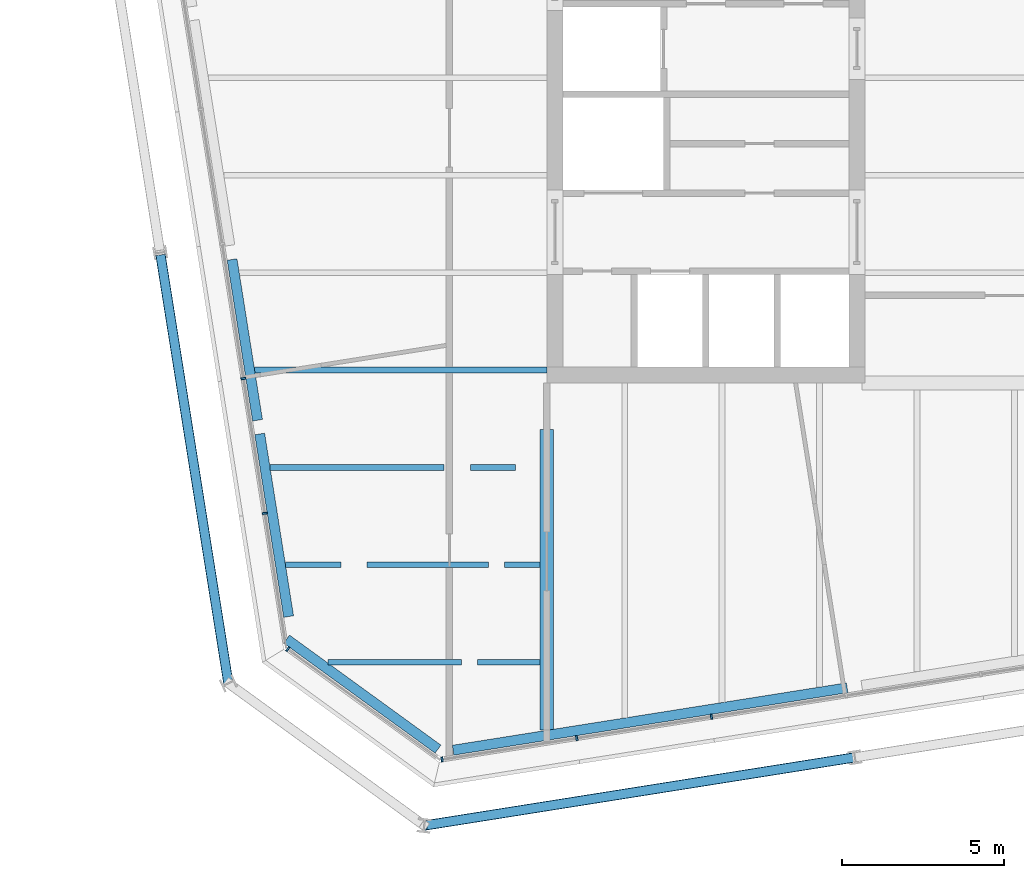
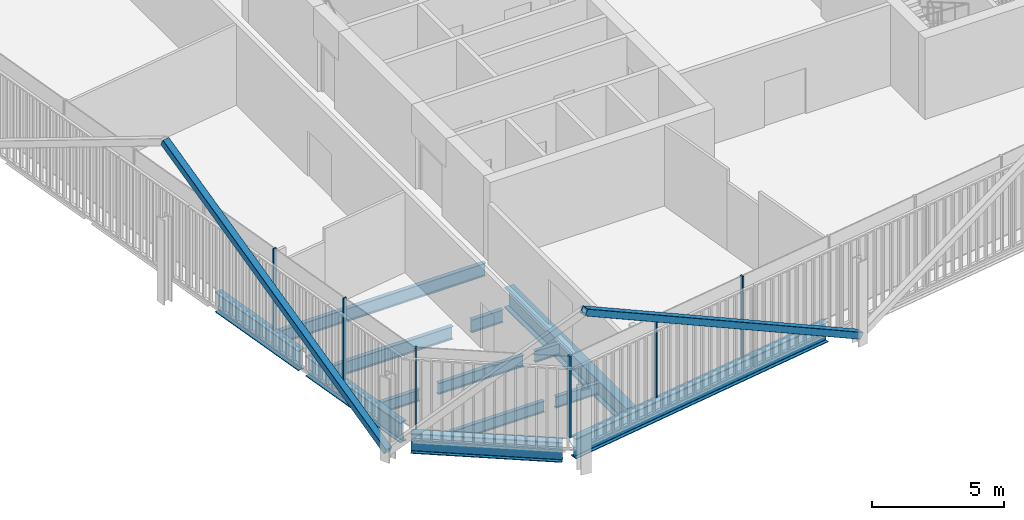
# One storey, part 2 of 20: 13 beams, 8 members, 3 elements without a shape of their own.
"""IFC4 building model written with IfcOpenShell, lengths in metres."""

from ifc_helpers import new_model, si_unit, direction, frame, origin, origin_2d, place, context, subcontext, project, spatial, rectangle, hollow_rectangle, i_section, extrude, material, layer, layer_set, material_profile, profile_set, type_object, element, aggregate, save


model = new_model("IFC4")

# Units and contexts
model_context = context("Model", 3, precision=1e-05, world=origin(), true_north=direction((0.0, 1.0)))
body_context = subcontext(model_context, "Body", "Model", "MODEL_VIEW")
ifc_project = project(units=[si_unit("LENGTHUNIT", "METRE"), si_unit("AREAUNIT", "SQUARE_METRE"), si_unit("VOLUMEUNIT", "CUBIC_METRE"), si_unit("PLANEANGLEUNIT", "RADIAN"), si_unit("MASSUNIT", "GRAM", prefix="KILO")], contexts=[model_context])

# Site, building, storey
site_placement = place(None, origin())
site = spatial("IfcSite", under=ifc_project, at=site_placement, CompositionType="ELEMENT")
building_placement = place(site_placement, origin())
building = spatial("IfcBuilding", under=site, at=building_placement, Name="Millrace Tower", CompositionType="ELEMENT")
storey_placement = place(building_placement, frame((0.0, 0.0, 204.699951171875)))
storey = spatial("IfcBuildingStorey", under=building, at=storey_placement, Name="L46", CompositionType="ELEMENT", Elevation=204.699951171875)

# Curtain wall, member
ifc_material_1 = material(Name="Aluminium and glass", Category="aluminium")
ifc_layer = layer(ifc_material_1, 0.14990234375)
ifc_layer_set = layer_set([ifc_layer], Name="Aluminium and glass")
curtain_wall_type = type_object("IfcCurtainWallType", Name="CW-1 office vision curtain wall", PredefinedType="NOTDEFINED", material=ifc_layer_set)
placement = place(storey_placement, origin())
curtain_wall_1 = element("IfcCurtainWall", 1, at=placement, inside=storey, type_object=curtain_wall_type, Name="Curtain wall D-F01 L46", PredefinedType="NOTDEFINED")
ifc_material_2 = material(Name="Aluminium", Category="aluminium")
ifc_material_profile_1 = material_profile(ifc_material_2, rectangle(XDim=0.06494140625, YDim=0.14990234375, at=origin_2d()))
ifc_profile_set_1 = profile_set([ifc_material_profile_1], Name="Aluminium")
member_type_1 = type_object("IfcMemberType", Name="CW-1 office vision curtain wall mullion", PredefinedType="MULLION", material=ifc_profile_set_1)
member_1_placement = place(storey_placement, frame((-22.3779296875, -17.594970703125, 0.14013671875), z_axis=(0.0, 0.0, 1.0), x_axis=(0.809016955361, -0.587785305991, 0.0)))
member_1 = element("IfcMember", 2, at=member_1_placement, type_object=member_type_1, Name="CW1 mullion D-F01.1", PredefinedType="MULLION", context=body_context, shape_type="SweptSolid", body=[
    extrude(rectangle(XDim=0.06494140625, YDim=0.14990234375, at=origin_2d()), origin(), (0.0, 0.0, 1.0), 3.760009765625),
])
aggregate(curtain_wall_1, [member_1])

# Curtain wall, members
curtain_wall_2 = element("IfcCurtainWall", 3, at=placement, inside=storey, type_object=curtain_wall_type, Name="Curtain wall D-F02 L46", PredefinedType="NOTDEFINED")
member_2_placement = place(storey_placement, frame((-17.62548828125, -20.992431640625, 0.14013671875), z_axis=(0.0, 0.0, 1.0), x_axis=(0.987688339511, 0.156434471884, 0.0)))
member_2 = element("IfcMember", 4, at=member_2_placement, type_object=member_type_1, Name="CW1 mullion D-F02.1", PredefinedType="MULLION", context=body_context, shape_type="SweptSolid", body=[
    extrude(rectangle(XDim=0.06494140625, YDim=0.14990234375, at=origin_2d()), origin(), (0.0, 0.0, 1.0), 3.760009765625),
])
member_3_placement = place(storey_placement, frame((-13.477294921875, -20.33544921875, 0.14013671875), z_axis=(0.0, 0.0, 1.0), x_axis=(0.987688339511, 0.156434471884, 0.0)))
member_3 = element("IfcMember", 5, at=member_3_placement, type_object=member_type_1, Name="CW1 mullion D-F02.2", PredefinedType="MULLION", context=body_context, shape_type="SweptSolid", body=[
    extrude(rectangle(XDim=0.06494140625, YDim=0.14990234375, at=origin_2d()), origin(), (0.0, 0.0, 1.0), 3.760009765625),
])
member_4_placement = place(storey_placement, frame((-9.328857421875, -19.678466796875, 0.14013671875), z_axis=(0.0, 0.0, 1.0), x_axis=(0.987688339511, 0.156434471884, 0.0)))
member_4 = element("IfcMember", 6, at=member_4_placement, type_object=member_type_1, Name="CW1 mullion D-F02.3", PredefinedType="MULLION", context=body_context, shape_type="SweptSolid", body=[
    extrude(rectangle(XDim=0.06494140625, YDim=0.14990234375, at=origin_2d()), origin(), (0.0, 0.0, 1.0), 3.760009765625),
])
aggregate(curtain_wall_2, [member_2, member_3, member_4])

curtain_wall_3 = element("IfcCurtainWall", 7, at=placement, inside=storey, type_object=curtain_wall_type, Name="Curtain wall D-F08 L46", PredefinedType="NOTDEFINED")
member_5_placement = place(storey_placement, frame((-23.7431640625, -9.262451171875, 0.14013671875), z_axis=(0.0, 0.0, 1.0), x_axis=(0.156434471884, -0.987688339511, 0.0)))
member_5 = element("IfcMember", 8, at=member_5_placement, type_object=member_type_1, Name="CW1 mullion D-F08.8", PredefinedType="MULLION", context=body_context, shape_type="SweptSolid", body=[
    extrude(rectangle(XDim=0.06494140625, YDim=0.14990234375, at=origin_2d()), origin(), (0.0, 0.0, 1.0), 3.760009765625),
])
member_6_placement = place(storey_placement, frame((-23.086181640625, -13.410888671875, 0.14013671875), z_axis=(0.0, 0.0, 1.0), x_axis=(0.156434471884, -0.987688339511, 0.0)))
member_6 = element("IfcMember", 9, at=member_6_placement, type_object=member_type_1, Name="CW1 mullion D-F08.9", PredefinedType="MULLION", context=body_context, shape_type="SweptSolid", body=[
    extrude(rectangle(XDim=0.06494140625, YDim=0.14990234375, at=origin_2d()), origin(), (0.0, 0.0, 1.0), 3.760009765625),
])
aggregate(curtain_wall_3, [member_5, member_6])

# Members
ifc_material_3 = material(Name="Steel ASTM A500 Grade C", Category="steel")
ifc_material_profile_2 = material_profile(ifc_material_3, hollow_rectangle(XDim=0.3046875, YDim=0.3046875, WallThickness=0.0126953125, InnerFilletRadius=0.00634765625, OuterFilletRadius=0.01904296875, at=origin_2d()))
ifc_profile_set_2 = profile_set([ifc_material_profile_2], Name="Steel ASTM A500 Grade C")
member_type_2 = type_object("IfcMemberType", Name="Exoskeleton brace HSS12x12x1/2", PredefinedType="BRACE", material=ifc_profile_set_2)
member_7_placement = place(storey_placement, frame((-4.91162109375, -20.927734375, 0.400146484375), z_axis=(-0.875831763156, -0.138714339442, 0.462252154868), x_axis=(0.156430301989, -0.987688999949, 0.0)))
element("IfcMember", 10, at=member_7_placement, inside=storey, type_object=member_type_2, Name="BRC-D-L46-02", PredefinedType="BRACE", context=body_context, shape_type="SweptSolid", body=[
    extrude(hollow_rectangle(XDim=0.3046875, YDim=0.3046875, WallThickness=0.0126953125, InnerFilletRadius=0.00634765625, OuterFilletRadius=0.01904296875, at=origin_2d()), origin(), (0.0, 0.0, 1.0), 15.143310546875),
])
member_8_placement = place(storey_placement, frame((-24.2060546875, -18.646484375, 0.400146484375), z_axis=(-0.138712380788, 0.87583551821, 0.462245627841), x_axis=(-0.987689444837, -0.156427492975, 0.0)))
element("IfcMember", 11, at=member_8_placement, inside=storey, type_object=member_type_2, Name="BRC-D-L46-16", PredefinedType="BRACE", context=body_context, shape_type="SweptSolid", body=[
    extrude(hollow_rectangle(XDim=0.3046875, YDim=0.3046875, WallThickness=0.0126953125, InnerFilletRadius=0.00634765625, OuterFilletRadius=0.01904296875, at=origin_2d()), origin(), (0.0, 0.0, 1.0), 15.1435546875),
])

# Beams
ifc_material_4 = material(Name="Steel ASTM A992 Grade 50", Category="steel")
ifc_material_profile_3 = material_profile(ifc_material_4, i_section(OverallWidth=0.1650390625, OverallDepth=0.52587890625, WebThickness=0.0087890625, FlangeThickness=0.011474609375, FilletRadius=0.0126953125, at=origin_2d()))
ifc_profile_set_3 = profile_set([ifc_material_profile_3], Name="Steel ASTM A992 Grade 50")
beam_type_1 = type_object("IfcBeamType", Name="Floor beam W21x44", PredefinedType="JOIST", material=ifc_profile_set_3)
beam_1_placement = place(storey_placement, frame((-22.447509765625, -15.0, -0.4228515625), z_axis=(1.0, 0.0, 0.0), x_axis=(0.0, 1.0, 0.0)))
element("IfcBeam", 12, at=beam_1_placement, inside=storey, type_object=beam_type_1, Name="BM-D-L46-S1-S002-a", PredefinedType="JOIST", context=body_context, shape_type="SweptSolid", body=[
    extrude(i_section(OverallWidth=0.1650390625, OverallDepth=0.52587890625, WebThickness=0.0087890625, FlangeThickness=0.011474609375, FilletRadius=0.0126953125, at=origin_2d()), origin(), (0.0, 0.0, 1.0), 1.70703125),
])
beam_2_placement = place(storey_placement, frame((-21.13427734375, -18.0, -0.4228515625), z_axis=(1.0, 0.0, 0.0), x_axis=(0.0, 1.0, 0.0)))
element("IfcBeam", 13, at=beam_2_placement, inside=storey, type_object=beam_type_1, Name="BM-D-L46-S1-S001-a", PredefinedType="JOIST", context=body_context, shape_type="SweptSolid", body=[
    extrude(i_section(OverallWidth=0.1650390625, OverallDepth=0.52587890625, WebThickness=0.0087890625, FlangeThickness=0.011474609375, FilletRadius=0.0126953125, at=origin_2d()), origin(), (0.0, 0.0, 1.0), 4.106689453125),
])
beam_3_placement = place(storey_placement, frame((-16.5361328125, -18.0, -0.4228515625), z_axis=(1.0, 0.0, 0.0), x_axis=(0.0, 1.0, 0.0)))
element("IfcBeam", 14, at=beam_3_placement, inside=storey, type_object=beam_type_1, Name="BM-D-L46-S1-S001-b", PredefinedType="JOIST", context=body_context, shape_type="SweptSolid", body=[
    extrude(i_section(OverallWidth=0.1650390625, OverallDepth=0.52587890625, WebThickness=0.0087890625, FlangeThickness=0.011474609375, FilletRadius=0.0126953125, at=origin_2d()), origin(), (0.0, 0.0, 1.0), 1.926513671875),
])
beam_4_placement = place(storey_placement, frame((-19.9375, -15.0, -0.4228515625), z_axis=(1.0, 0.0, 0.0), x_axis=(0.0, 1.0, 0.0)))
element("IfcBeam", 15, at=beam_4_placement, inside=storey, type_object=beam_type_1, Name="BM-D-L46-S1-S002-b-a", PredefinedType="JOIST", context=body_context, shape_type="SweptSolid", body=[
    extrude(i_section(OverallWidth=0.1650390625, OverallDepth=0.52587890625, WebThickness=0.0087890625, FlangeThickness=0.011474609375, FilletRadius=0.0126953125, at=origin_2d()), origin(), (0.0, 0.0, 1.0), 3.74072265625),
])
beam_5_placement = place(storey_placement, frame((-15.705322265625, -15.0, -0.4228515625), z_axis=(1.0, 0.0, 0.0), x_axis=(0.0, 1.0, 0.0)))
element("IfcBeam", 16, at=beam_5_placement, inside=storey, type_object=beam_type_1, Name="BM-D-L46-S1-S002-b-b", PredefinedType="JOIST", context=body_context, shape_type="SweptSolid", body=[
    extrude(i_section(OverallWidth=0.1650390625, OverallDepth=0.52587890625, WebThickness=0.0087890625, FlangeThickness=0.011474609375, FilletRadius=0.0126953125, at=origin_2d()), origin(), (0.0, 0.0, 1.0), 1.095703125),
])
ifc_material_5 = material(Name="Steel ASTM A992 Grade 50", Category="steel")
ifc_material_profile_4 = material_profile(ifc_material_5, i_section(OverallWidth=0.177978515625, OverallDepth=0.599365234375, WebThickness=0.010009765625, FlangeThickness=0.012939453125, FilletRadius=0.012939453125, at=origin_2d()))
ifc_profile_set_4 = profile_set([ifc_material_profile_4], Name="Steel ASTM A992 Grade 50")
beam_type_2 = type_object("IfcBeamType", Name="Floor beam W24x55", PredefinedType="JOIST", material=ifc_profile_set_4)
beam_6_placement = place(storey_placement, frame((-23.397705078125, -9.0, -0.459716796875), z_axis=(1.0, 0.0, 0.0), x_axis=(0.0, 1.0, 0.0)))
element("IfcBeam", 17, at=beam_6_placement, inside=storey, type_object=beam_type_2, Name="BM-D-L46-S1-S006", PredefinedType="JOIST", context=body_context, shape_type="SweptSolid", body=[
    extrude(i_section(OverallWidth=0.177978515625, OverallDepth=0.599365234375, WebThickness=0.010009765625, FlangeThickness=0.012939453125, FilletRadius=0.012939453125, at=origin_2d()), origin(), (0.0, 0.0, 1.0), 8.997802734375),
])
beam_7_placement = place(storey_placement, frame((-22.922607421875, -12.0, -0.459716796875), z_axis=(1.0, 0.0, 0.0), x_axis=(0.0, 1.0, 0.0)))
element("IfcBeam", 18, at=beam_7_placement, inside=storey, type_object=beam_type_2, Name="BM-D-L46-S1-S004-a", PredefinedType="JOIST", context=body_context, shape_type="SweptSolid", body=[
    extrude(i_section(OverallWidth=0.177978515625, OverallDepth=0.599365234375, WebThickness=0.010009765625, FlangeThickness=0.012939453125, FilletRadius=0.012939453125, at=origin_2d()), origin(), (0.0, 0.0, 1.0), 5.3583984375),
])
beam_8_placement = place(storey_placement, frame((-16.75048828125, -12.0, -0.459716796875), z_axis=(1.0, 0.0, 0.0), x_axis=(0.0, 1.0, 0.0)))
element("IfcBeam", 19, at=beam_8_placement, inside=storey, type_object=beam_type_2, Name="BM-D-L46-S1-S004-b", PredefinedType="JOIST", context=body_context, shape_type="SweptSolid", body=[
    extrude(i_section(OverallWidth=0.177978515625, OverallDepth=0.599365234375, WebThickness=0.010009765625, FlangeThickness=0.012939453125, FilletRadius=0.012939453125, at=origin_2d()), origin(), (0.0, 0.0, 1.0), 1.38427734375),
])
ifc_material_6 = material(Name="Steel ASTM A992 Grade 50", Category="steel")
ifc_material_profile_5 = material_profile(ifc_material_6, i_section(OverallWidth=0.419189453125, OverallDepth=0.927001953125, WebThickness=0.019287109375, FlangeThickness=0.031982421875, FilletRadius=0.024169921875, at=origin_2d()))
ifc_profile_set_5 = profile_set([ifc_material_profile_5], Name="Steel ASTM A992 Grade 50")
beam_type_3 = type_object("IfcBeamType", Name="Girder short span W36x231", PredefinedType="BEAM", material=ifc_profile_set_5)
beam_9_placement = place(storey_placement, frame((-14.39990234375, -20.08642578125, -0.62353515625), z_axis=(0.0, 1.0, 0.0), x_axis=(-1.0, 0.0, 0.0)))
element("IfcBeam", 20, at=beam_9_placement, inside=storey, type_object=beam_type_3, Name="BM-D-L46-S1-G055", PredefinedType="BEAM", context=body_context, shape_type="SweptSolid", body=[
    extrude(i_section(OverallWidth=0.419189453125, OverallDepth=0.927001953125, WebThickness=0.019287109375, FlangeThickness=0.031982421875, FilletRadius=0.024169921875, at=origin_2d()), origin(), (0.0, 0.0, 1.0), 9.259765625),
])
ifc_material_7 = material(Name="Steel ASTM A992 Grade 50", Category="steel")
ifc_material_profile_6 = material_profile(ifc_material_7, i_section(OverallWidth=0.307373046875, OverallDepth=0.927001953125, WebThickness=0.01953125, FlangeThickness=0.031982421875, FilletRadius=0.01904296875, at=origin_2d()))
ifc_profile_set_6 = profile_set([ifc_material_profile_6], Name="Steel ASTM A992 Grade 50")
beam_type_4 = type_object("IfcBeamType", Name="Ring beam medium span W36x194", PredefinedType="SPANDREL", material=ifc_profile_set_6)
beam_10_placement = place(storey_placement, frame((-5.149658203125, -18.784912109375, -0.62353515625), z_axis=(-0.98768777377, -0.156438043794, 0.0), x_axis=(0.156438043794, -0.98768777377, 0.0)))
element("IfcBeam", 21, at=beam_10_placement, inside=storey, type_object=beam_type_4, Name="RNG-D-L46-S1-15", PredefinedType="SPANDREL", context=body_context, shape_type="SweptSolid", body=[
    extrude(i_section(OverallWidth=0.307373046875, OverallDepth=0.927001953125, WebThickness=0.01953125, FlangeThickness=0.031982421875, FilletRadius=0.01904296875, at=origin_2d()), origin(), (0.0, 0.0, 1.0), 12.286865234375),
])
ifc_material_8 = material(Name="Steel ASTM A992 Grade 50", Category="steel")
ifc_material_profile_7 = material_profile(ifc_material_8, i_section(OverallWidth=0.307373046875, OverallDepth=0.927001953125, WebThickness=0.01953125, FlangeThickness=0.031982421875, FilletRadius=0.01904296875, at=origin_2d()))
ifc_profile_set_7 = profile_set([ifc_material_profile_7], Name="Steel ASTM A992 Grade 50")
beam_type_5 = type_object("IfcBeamType", Name="Ring beam short span W36x194", PredefinedType="SPANDREL", material=ifc_profile_set_7)
beam_11_placement = place(storey_placement, frame((-17.75048828125, -20.674560546875, -0.62353515625), z_axis=(-0.809018124871, 0.587783696295, 0.0), x_axis=(-0.587783696295, -0.809018124871, 0.0)))
element("IfcBeam", 22, at=beam_11_placement, inside=storey, type_object=beam_type_5, Name="RNG-D-L46-S1-16", PredefinedType="SPANDREL", context=body_context, shape_type="SweptSolid", body=[
    extrude(i_section(OverallWidth=0.307373046875, OverallDepth=0.927001953125, WebThickness=0.01953125, FlangeThickness=0.031982421875, FilletRadius=0.01904296875, at=origin_2d()), origin(), (0.0, 0.0, 1.0), 5.7626953125),
])
beam_12_placement = place(storey_placement, frame((-23.30859375, -10.545654296875, -0.62353515625), z_axis=(-0.156415318526, 0.987691372915, 0.0), x_axis=(-0.987691372915, -0.156415318526, 0.0)))
element("IfcBeam", 23, at=beam_12_placement, inside=storey, type_object=beam_type_5, Name="RNG-D-L46-S1-01-b", PredefinedType="SPANDREL", context=body_context, shape_type="SweptSolid", body=[
    extrude(i_section(OverallWidth=0.307373046875, OverallDepth=0.927001953125, WebThickness=0.01953125, FlangeThickness=0.031982421875, FilletRadius=0.01904296875, at=origin_2d()), origin(), (0.0, 0.0, 1.0), 5.011962890625),
])
beam_13_placement = place(storey_placement, frame((-22.350830078125, -16.592041015625, -0.62353515625), z_axis=(-0.156453539256, 0.987685319347, 0.0), x_axis=(-0.987685319347, -0.156453539256, 0.0)))
element("IfcBeam", 24, at=beam_13_placement, inside=storey, type_object=beam_type_5, Name="RNG-D-L46-S1-01-a", PredefinedType="SPANDREL", context=body_context, shape_type="SweptSolid", body=[
    extrude(i_section(OverallWidth=0.307373046875, OverallDepth=0.927001953125, WebThickness=0.01953125, FlangeThickness=0.031982421875, FilletRadius=0.01904296875, at=origin_2d()), origin(), (0.0, 0.0, 1.0), 5.694091796875),
])

save(model, "model.ifc")
